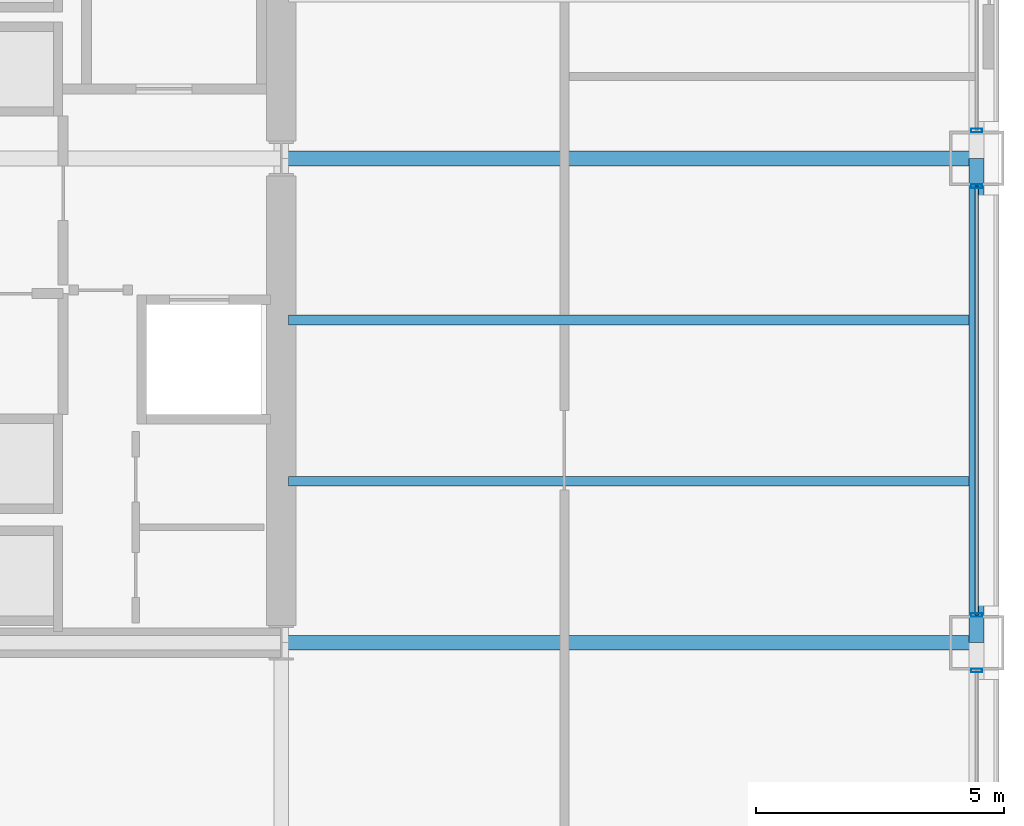
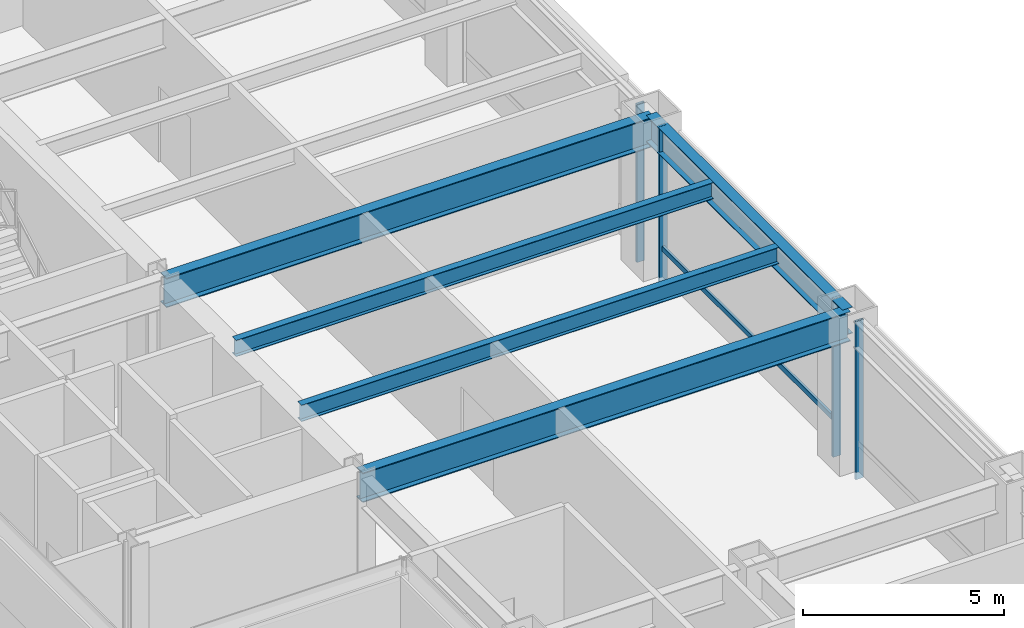
# One storey, part 11 of 37: 5 beams, 5 members, 3 elements without a shape of their own.
"""IFC4 building model written with IfcOpenShell, lengths in metres."""

from ifc_helpers import new_model, si_unit, direction, frame, origin, origin_2d, place, context, subcontext, project, spatial, hollow_rectangle, i_section, extrude, material, layer, layer_set, material_profile, profile_set, type_object, element, aggregate, save


model = new_model("IFC4")

# Units and contexts
model_context = context("Model", 3, precision=1e-05, world=origin(), true_north=direction((0.0, 1.0)))
body_context = subcontext(model_context, "Body", "Model", "MODEL_VIEW")
ifc_project = project(units=[si_unit("LENGTHUNIT", "METRE"), si_unit("AREAUNIT", "SQUARE_METRE"), si_unit("VOLUMEUNIT", "CUBIC_METRE"), si_unit("PLANEANGLEUNIT", "RADIAN"), si_unit("MASSUNIT", "GRAM", prefix="KILO")], contexts=[model_context])

# Site, building, storey
site_placement = place(None, origin())
site = spatial("IfcSite", under=ifc_project, at=site_placement, CompositionType="ELEMENT")
building_placement = place(site_placement, origin())
building = spatial("IfcBuilding", under=site, at=building_placement, Name="Brelmoor Portico Tower", CompositionType="ELEMENT")
storey_placement = place(building_placement, origin())
storey = spatial("IfcBuildingStorey", under=building, at=storey_placement, Name="L00", CompositionType="ELEMENT", Elevation=0.0)

# Beams
ifc_material_1 = material(Name="Steel Q355B", Category="steel")
ifc_material_profile_1 = material_profile(ifc_material_1, i_section(OverallWidth=0.199951171875, OverallDepth=0.5, WebThickness=0.010009765625, FlangeThickness=0.01611328125, at=origin_2d()), Name="HN 500x200x10x16")
ifc_profile_set_1 = profile_set([ifc_material_profile_1], Name="Steel Q355B")
beam_type_1 = type_object("IfcBeamType", Name="BM-JS-500", PredefinedType="JOIST", material=ifc_profile_set_1)
for number, where, z_axis, x_axis, name in (
    (1, (14.699951171875, -6.5, 4.330078125), (1.0, 0.0, 0.0), (0.0, 1.0, 0.0), "L00 Secondary Wing Joist JS-E02"),
    (2, (14.699951171875, -3.25, 4.330078125), (1.0, 0.0, 0.0), (0.0, 1.0, 0.0), "L00 Secondary Wing Joist JS-E03"),
):
    element("IfcBeam", number, at=place(storey_placement, frame(where, z_axis=z_axis, x_axis=x_axis)), inside=storey, type_object=beam_type_1, Name=name, PredefinedType="JOIST", context=body_context, shape_type="SweptSolid", body=[
        extrude(i_section(OverallWidth=0.199951171875, OverallDepth=0.5, WebThickness=0.010009765625, FlangeThickness=0.01611328125, at=origin_2d()), origin(), (0.0, 0.0, 1.0), 13.699951171875),
    ])
ifc_material_profile_2 = material_profile(ifc_material_1, i_section(OverallWidth=0.300048828125, OverallDepth=0.89990234375, WebThickness=0.01611328125, FlangeThickness=0.028076171875, at=origin_2d()), Name="HN 900x300x16x28")
ifc_profile_set_2 = profile_set([ifc_material_profile_2], Name="Steel Q355B")
beam_type_2 = type_object("IfcBeamType", Name="BM-PG-900", PredefinedType="BEAM", material=ifc_profile_set_2)
for number, where, z_axis, x_axis, name in (
    (3, (14.550048828125, -9.75, 4.1298828125), (1.0, 0.0, 0.0), (0.0, 1.0, 0.0), "L00 Primary Floor Girder PG-28"),
    (4, (14.550048828125, 0.0, 4.1298828125), (1.0, 0.0, 0.0), (0.0, 1.0, 0.0), "L00 Primary Floor Girder PG-31"),
):
    element("IfcBeam", number, at=place(storey_placement, frame(where, z_axis=z_axis, x_axis=x_axis)), inside=storey, type_object=beam_type_2, Name=name, PredefinedType="BEAM", context=body_context, shape_type="SweptSolid", body=[
        extrude(i_section(OverallWidth=0.300048828125, OverallDepth=0.89990234375, WebThickness=0.01611328125, FlangeThickness=0.028076171875, at=origin_2d()), origin(), (0.0, 0.0, 1.0), 14.0),
    ])
ifc_material_profile_3 = material_profile(ifc_material_1, i_section(OverallWidth=0.300048828125, OverallDepth=0.800048828125, WebThickness=0.013916015625, FlangeThickness=0.02587890625, at=origin_2d()), Name="HN 800x300x14x26")
ifc_profile_set_3 = profile_set([ifc_material_profile_3], Name="Steel Q355B")
beam_type_3 = type_object("IfcBeamType", Name="BM-SP-800", PredefinedType="SPANDREL", material=ifc_profile_set_3)
beam_placement = place(storey_placement, frame((28.550048828125, -9.75, 4.179931640625), z_axis=(0.0, 1.0, 0.0), x_axis=(-1.0, 0.0, 0.0)))
element("IfcBeam", 5, at=beam_placement, inside=storey, type_object=beam_type_3, Name="L00 Perimeter Spandrel Beam SP-17", PredefinedType="SPANDREL", context=body_context, shape_type="SweptSolid", body=[
    extrude(i_section(OverallWidth=0.300048828125, OverallDepth=0.800048828125, WebThickness=0.013916015625, FlangeThickness=0.02587890625, at=origin_2d()), origin(), (0.0, 0.0, 1.0), 9.75),
])

# Curtain wall, member
ifc_material_2 = material(Name="Anodised Aluminium Alloy 6063-T6", Category="aluminium")
ifc_layer = layer(ifc_material_2, 0.179931640625)
ifc_layer_set = layer_set([ifc_layer], Name="Anodised Aluminium Alloy 6063-T6")
curtain_wall_type = type_object("IfcCurtainWallType", Name="CW-PODIUM-ARCH", PredefinedType="NOTDEFINED", material=ifc_layer_set)
curtain_wall_1_placement = place(storey_placement, origin())
curtain_wall_1 = element("IfcCurtainWall", 6, at=curtain_wall_1_placement, inside=storey, type_object=curtain_wall_type, Name="L00 Curtain Wall CW-L00-06-2", PredefinedType="NOTDEFINED")
ifc_material_profile_4 = material_profile(ifc_material_2, hollow_rectangle(XDim=0.074951171875, YDim=0.219970703125, WallThickness=0.0048828125, at=origin_2d()), Name="ALU MULLION 75x220")
ifc_profile_set_4 = profile_set([ifc_material_profile_4], Name="Anodised Aluminium Alloy 6063-T6")
member_type_1 = type_object("IfcMemberType", Name="MB-CW-MULL-220", PredefinedType="MULLION", material=ifc_profile_set_4)
member_1_placement = place(storey_placement, frame((28.550048828125, -10.31005859375, -0.219970703125), z_axis=(0.0, 0.0, 1.0), x_axis=(0.0, 1.0, 0.0)))
member_1 = element("IfcMember", 7, at=member_1_placement, type_object=member_type_1, Name="CW-L00-06-2 Mullion 01", PredefinedType="MULLION", context=body_context, shape_type="SweptSolid", body=[
    extrude(hollow_rectangle(XDim=0.074951171875, YDim=0.219970703125, WallThickness=0.0048828125, at=origin_2d()), origin(), (0.0, 0.0, 1.0), 4.800048828125),
])
aggregate(curtain_wall_1, [member_1])

# Curtain wall, members
curtain_wall_2_placement = place(storey_placement, origin())
curtain_wall_2 = element("IfcCurtainWall", 8, at=curtain_wall_2_placement, inside=storey, type_object=curtain_wall_type, Name="L00 Curtain Wall CW-L00-06-3", PredefinedType="NOTDEFINED")
member_2_placement = place(storey_placement, frame((28.550048828125, -9.18994140625, -0.219970703125), z_axis=(0.0, 0.0, 1.0), x_axis=(0.0, 1.0, 0.0)))
member_2 = element("IfcMember", 9, at=member_2_placement, type_object=member_type_1, Name="CW-L00-06-3 Mullion 00", PredefinedType="MULLION", context=body_context, shape_type="SweptSolid", body=[
    extrude(hollow_rectangle(XDim=0.074951171875, YDim=0.219970703125, WallThickness=0.0048828125, at=origin_2d()), origin(), (0.0, 0.0, 1.0), 4.800048828125),
])
member_3_placement = place(storey_placement, frame((28.550048828125, -0.56005859375, -0.219970703125), z_axis=(0.0, 0.0, 1.0), x_axis=(0.0, 1.0, 0.0)))
member_3 = element("IfcMember", 10, at=member_3_placement, type_object=member_type_1, Name="CW-L00-06-3 Mullion 01", PredefinedType="MULLION", context=body_context, shape_type="SweptSolid", body=[
    extrude(hollow_rectangle(XDim=0.074951171875, YDim=0.219970703125, WallThickness=0.0048828125, at=origin_2d()), origin(), (0.0, 0.0, 1.0), 4.800048828125),
])

# Curtain wall, member
curtain_wall_3_placement = place(storey_placement, origin())
curtain_wall_3 = element("IfcCurtainWall", 11, at=curtain_wall_3_placement, inside=storey, type_object=curtain_wall_type, Name="L00 Curtain Wall CW-L00-06-4", PredefinedType="NOTDEFINED")
member_4_placement = place(storey_placement, frame((28.550048828125, 0.56005859375, -0.219970703125), z_axis=(0.0, 0.0, 1.0), x_axis=(0.0, 1.0, 0.0)))
member_4 = element("IfcMember", 12, at=member_4_placement, type_object=member_type_1, Name="CW-L00-06-4 Mullion 00", PredefinedType="MULLION", context=body_context, shape_type="SweptSolid", body=[
    extrude(hollow_rectangle(XDim=0.074951171875, YDim=0.219970703125, WallThickness=0.0048828125, at=origin_2d()), origin(), (0.0, 0.0, 1.0), 4.800048828125),
])
aggregate(curtain_wall_3, [member_4])

# Member
ifc_material_profile_5 = material_profile(ifc_material_2, hollow_rectangle(XDim=0.070068359375, YDim=0.159912109375, WallThickness=0.00390625, at=origin_2d()), Name="ALU TRANSOM 70x160")
ifc_profile_set_5 = profile_set([ifc_material_profile_5], Name="Anodised Aluminium Alloy 6063-T6")
member_type_2 = type_object("IfcMemberType", Name="MB-CW-TRAN-160", PredefinedType="USERDEFINED", material=ifc_profile_set_5)
member_5_placement = place(storey_placement, frame((28.550048828125, -9.18994140625, 0.85009765625), z_axis=(0.0, 1.0, 0.0), x_axis=(-1.0, 0.0, 0.0)))
member_5 = element("IfcMember", 13, at=member_5_placement, type_object=member_type_2, Name="CW-L00-06-3 Transom 1-00", ObjectType="TRANSOM", PredefinedType="USERDEFINED", context=body_context, shape_type="SweptSolid", body=[
    extrude(hollow_rectangle(XDim=0.070068359375, YDim=0.159912109375, WallThickness=0.00390625, at=origin_2d()), origin(), (0.0, 0.0, 1.0), 8.6298828125),
])

aggregate(curtain_wall_2, [member_2, member_3, member_5])

save(model, "model.ifc")
